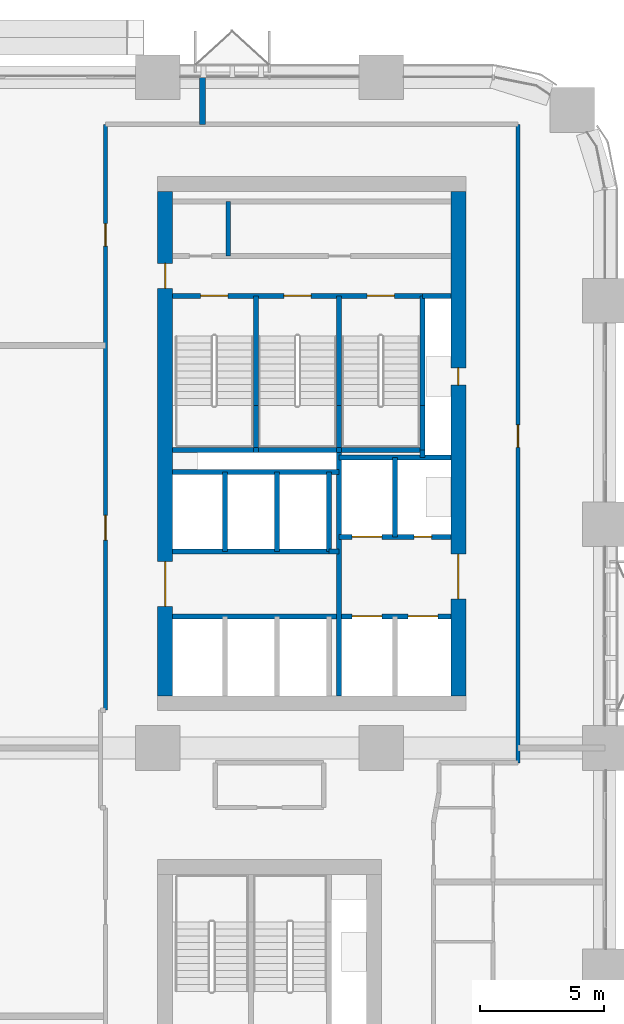
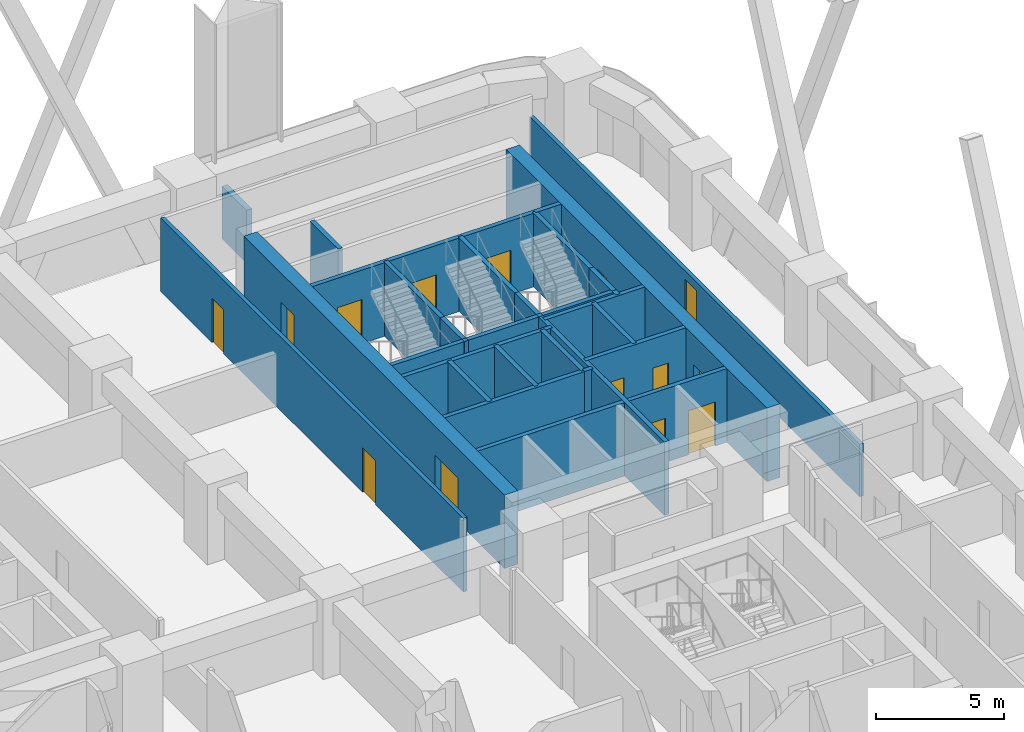
# One storey, part 19 of 24: 31 walls, 14 doors, 14 openings.
"""IFC4 building model written with IfcOpenShell, lengths in metres."""

from ifc_helpers import new_model, si_unit, direction, frame, frame_2d, origin, place, context, subcontext, project, spatial, rectangle, extrude, material, layer, layer_set, type_object, element, fill, save


model = new_model("IFC4")

# Units and contexts
model_context = context("Model", 3, precision=1e-05, world=origin(), true_north=direction((0.0, 1.0)))
body_context = subcontext(model_context, "Body", "Model", "MODEL_VIEW")
ifc_project = project(units=[si_unit("LENGTHUNIT", "METRE"), si_unit("AREAUNIT", "SQUARE_METRE"), si_unit("VOLUMEUNIT", "CUBIC_METRE"), si_unit("PLANEANGLEUNIT", "RADIAN"), si_unit("MASSUNIT", "GRAM", prefix="KILO")], contexts=[model_context])

# Site, building, storey
site_placement = place(None, origin())
site = spatial("IfcSite", under=ifc_project, at=site_placement, CompositionType="ELEMENT")
building_placement = place(site_placement, origin())
building = spatial("IfcBuilding", under=site, at=building_placement, Name="Tessera Arch", CompositionType="ELEMENT")
storey_placement = place(building_placement, frame((0.0, 0.0, 61.39990234375)))
storey = spatial("IfcBuildingStorey", under=building, at=storey_placement, Name="L13", CompositionType="ELEMENT", Elevation=61.39990234375)

# Walls
ifc_material_1 = material(Name="Gypsum board on steel stud", Category="steel")
ifc_layer_1 = layer(ifc_material_1, 0.125)
ifc_layer_set_1 = layer_set([ifc_layer_1], Name="Core partition 125 EI 60")
wall_type_1 = type_object("IfcWallType", Name="Core partition 125 EI 60", PredefinedType="PARTITIONING", material=ifc_layer_set_1)
wall_1_placement = place(storey_placement, frame((38.840087890625, 46.800048828125, 0.0), z_axis=(0.0, 0.0, 1.0), x_axis=(0.0, 1.0, 0.0)))
element("IfcWall", 1, at=wall_1_placement, inside=storey, type_object=wall_type_1, Name="L13 C1 partition wall 3", PredefinedType="PARTITIONING", context=body_context, shape_type="SweptSolid", body=[
    extrude(rectangle(XDim=2.199951171875, YDim=0.199951171875, at=frame_2d((1.10009765625, 0.0))), origin(), (0.0, 0.0, 1.0), 3.5),
])
wall_2_placement = place(storey_placement, frame((42.89990234375, 34.89990234375, 0.0), z_axis=(0.0, 0.0, 1.0), x_axis=(1.0, 0.0, 0.0)))
element("IfcWall", 2, at=wall_2_placement, inside=storey, type_object=wall_type_1, Name="L13 C1 partition wall 19", PredefinedType="PARTITIONING", context=body_context, shape_type="SweptSolid", body=[
    extrude(rectangle(XDim=0.400146484375, YDim=0.199951171875, at=frame_2d((0.2001953125, 0.0))), origin(), (0.0, 0.0, 1.0), 3.5),
])

# Wall, openings, doors
ifc_material_2 = material(Name="Concrete C70/85", Category="concrete")
ifc_layer_2 = layer(ifc_material_2, 0.60009765625)
ifc_layer_set_2 = layer_set([ifc_layer_2], Name="Core shell wall 600 C70-85")
wall_type_2 = type_object("IfcWallType", Name="Core shell wall 600 C70-85", PredefinedType="SHEAR", material=ifc_layer_set_2)
wall_3_placement = place(storey_placement, frame((36.300048828125, 29.10009765625, 0.0), z_axis=(0.0, 0.0, 1.0), x_axis=(0.0, 1.0, 0.0)))
wall_3 = element("IfcWall", 3, at=wall_3_placement, inside=storey, type_object=wall_type_2, Name="L13 C1 core wall W", PredefinedType="SHEAR", context=body_context, shape_type="SweptSolid", body=[
    extrude(rectangle(XDim=20.2998046875, YDim=0.60009765625, at=frame_2d((10.14990234375, 0.0))), origin(), (0.0, 0.0, 1.0), 3.5),
])
opening_1_placement = place(wall_3_placement, frame((3.60009765625, 0.0, 0.0)))
opening_1 = element("IfcOpeningElement", 4, at=opening_1_placement, cuts=wall_3, Name="Opening L13-C04", PredefinedType="OPENING", context=body_context, shape_type="SweptSolid", body=[
    extrude(rectangle(XDim=1.800048828125, YDim=2.10009765625, at=frame_2d((0.89990234375, 1.050048828125))), frame((0.0, 0.31005859375, 0.0), z_axis=(0.0, -1.0, 0.0), x_axis=(1.0, 0.0, 0.0)), (0.0, 0.0, 1.0), 0.6201171875),
])
opening_2_placement = place(wall_3_placement, frame((16.39990234375, 0.0, 0.0)))
opening_2 = element("IfcOpeningElement", 5, at=opening_2_placement, cuts=wall_3, Name="Opening L13-C11", PredefinedType="OPENING", context=body_context, shape_type="SweptSolid", body=[
    extrude(rectangle(XDim=1.0, YDim=2.10009765625, at=frame_2d((0.5, 1.050048828125))), frame((0.0, 0.31005859375, 0.0), z_axis=(0.0, -1.0, 0.0), x_axis=(1.0, 0.0, 0.0)), (0.0, 0.0, 1.0), 0.6201171875),
])
ifc_material_3 = material(Name="Steel door leaf", Category="steel")
door_type_1 = type_object("IfcDoorType", Name="Corridor door FD60 1000 x 2100", OperationType="SINGLE_SWING_LEFT", PredefinedType="DOOR", material=ifc_material_3)
door_1_placement = place(opening_2_placement, origin())
door_1 = element("IfcDoor", 6, at=door_1_placement, inside=storey, type_object=door_type_1, Name="L13 C1 door 11 C11 type D12", OperationType="SINGLE_SWING_RIGHT", OverallHeight=2.10009765625, OverallWidth=1.0, PredefinedType="DOOR", context=body_context, shape_type="SweptSolid", body=[
    extrude(rectangle(XDim=1.0, YDim=2.10009765625, at=frame_2d((0.5, 1.050048828125))), frame((0.0, 0.02490234375, 0.0), z_axis=(0.0, -1.0, 0.0), x_axis=(1.0, 0.0, 0.0)), (0.0, 0.0, 1.0), 0.050048828125),
])
fill(opening_2, door_1)
ifc_material_4 = material(Name="Glazed steel door leaf", Category="steel")
door_type_2 = type_object("IfcDoorType", Name="Lobby double door FD30S 1800 x 2100", OperationType="DOUBLE_DOOR_SINGLE_SWING", PredefinedType="DOOR", material=ifc_material_4)
door_2_placement = place(opening_1_placement, origin())
door_2 = element("IfcDoor", 7, at=door_2_placement, inside=storey, type_object=door_type_2, Name="L13 C1 door 4 C04 type D06", OperationType="DOUBLE_DOOR_SINGLE_SWING", OverallHeight=2.10009765625, OverallWidth=1.800048828125, PredefinedType="DOOR", context=body_context, shape_type="SweptSolid", body=[
    extrude(rectangle(XDim=1.800048828125, YDim=2.10009765625, at=frame_2d((0.89990234375, 1.050048828125))), frame((0.0, 0.02490234375, 0.0), z_axis=(0.0, -1.0, 0.0), x_axis=(1.0, 0.0, 0.0)), (0.0, 0.0, 1.0), 0.050048828125),
])
fill(opening_1, door_2)

wall_4_placement = place(storey_placement, frame((48.10009765625, 29.10009765625, 0.0), z_axis=(0.0, 0.0, 1.0), x_axis=(0.0, 1.0, 0.0)))
wall_4 = element("IfcWall", 8, at=wall_4_placement, inside=storey, type_object=wall_type_2, Name="L13 C1 core wall E", PredefinedType="SHEAR", context=body_context, shape_type="SweptSolid", body=[
    extrude(rectangle(XDim=20.2998046875, YDim=0.60009765625, at=frame_2d((10.14990234375, 0.0))), origin(), (0.0, 0.0, 1.0), 3.5),
])
opening_3_placement = place(wall_4_placement, frame((12.5, 0.0, 0.0)))
opening_3 = element("IfcOpeningElement", 9, at=opening_3_placement, cuts=wall_4, Name="Opening L13-C08", PredefinedType="OPENING", context=body_context, shape_type="SweptSolid", body=[
    extrude(rectangle(XDim=0.699951171875, YDim=2.10009765625, at=frame_2d((0.35009765625, 1.050048828125))), frame((0.0, 0.31005859375, 0.0), z_axis=(0.0, -1.0, 0.0), x_axis=(1.0, 0.0, 0.0)), (0.0, 0.0, 1.0), 0.6201171875),
])
opening_4_placement = place(wall_4_placement, frame((3.89990234375, 0.0, 0.0)))
opening_4 = element("IfcOpeningElement", 10, at=opening_4_placement, cuts=wall_4, Name="Opening L13-C09", PredefinedType="OPENING", context=body_context, shape_type="SweptSolid", body=[
    extrude(rectangle(XDim=1.800048828125, YDim=2.10009765625, at=frame_2d((0.89990234375, 1.050048828125))), frame((0.0, 0.31005859375, 0.0), z_axis=(0.0, -1.0, 0.0), x_axis=(1.0, 0.0, 0.0)), (0.0, 0.0, 1.0), 0.6201171875),
])
ifc_material_5 = material(Name="Glazed steel door leaf", Category="steel")
door_type_3 = type_object("IfcDoorType", Name="Lobby double door FD60 1800 x 2100", OperationType="DOUBLE_DOOR_SINGLE_SWING", PredefinedType="DOOR", material=ifc_material_5)
door_3_placement = place(opening_4_placement, origin())
door_3 = element("IfcDoor", 11, at=door_3_placement, inside=storey, type_object=door_type_3, Name="L13 C1 door 9 C09 type D19", OperationType="DOUBLE_DOOR_SINGLE_SWING", OverallHeight=2.10009765625, OverallWidth=1.800048828125, PredefinedType="DOOR", context=body_context, shape_type="SweptSolid", body=[
    extrude(rectangle(XDim=1.800048828125, YDim=2.10009765625, at=frame_2d((0.89990234375, 1.050048828125))), frame((0.0, 0.02490234375, 0.0), z_axis=(0.0, -1.0, 0.0), x_axis=(1.0, 0.0, 0.0)), (0.0, 0.0, 1.0), 0.050048828125),
])
fill(opening_4, door_3)
ifc_material_6 = material(Name="Steel door leaf", Category="steel")
door_type_4 = type_object("IfcDoorType", Name="Service shaft door FD60 700 x 2100", OperationType="SINGLE_SWING_LEFT", PredefinedType="DOOR", material=ifc_material_6)
door_4_placement = place(opening_3_placement, origin())
door_4 = element("IfcDoor", 12, at=door_4_placement, inside=storey, type_object=door_type_4, Name="L13 C1 door 8 C08 type D07", OperationType="SINGLE_SWING_RIGHT", OverallHeight=2.10009765625, OverallWidth=0.699951171875, PredefinedType="DOOR", context=body_context, shape_type="SweptSolid", body=[
    extrude(rectangle(XDim=0.699951171875, YDim=2.10009765625, at=frame_2d((0.35009765625, 1.050048828125))), frame((0.0, 0.02490234375, 0.0), z_axis=(0.0, -1.0, 0.0), x_axis=(1.0, 0.0, 0.0)), (0.0, 0.0, 1.0), 0.050048828125),
])
fill(opening_3, door_4)

ifc_material_7 = material(Name="Gypsum board on deep steel stud with mineral wool", Category="steel")
ifc_layer_3 = layer(ifc_material_7, 0.175048828125)
ifc_layer_set_3 = layer_set([ifc_layer_3], Name="Corridor wall 175 EI 60")
wall_type_3 = type_object("IfcWallType", Name="Corridor wall 175 EI 60", PredefinedType="PARTITIONING", material=ifc_layer_set_3)
wall_5_placement = place(storey_placement, frame((33.89990234375, 28.52001953125, 0.0), z_axis=(0.0, 0.0, 1.0), x_axis=(0.0, 1.0, 0.0)))
wall_5 = element("IfcWall", 13, at=wall_5_placement, inside=storey, type_object=wall_type_3, Name="L13 partition 25", PredefinedType="PARTITIONING", context=body_context, shape_type="SweptSolid", body=[
    extrude(rectangle(XDim=23.580078125, YDim=0.175048828125, at=frame_2d((11.7900390625, 0.0))), origin(), (0.0, 0.0, 1.0), 3.5),
])
opening_5_placement = place(wall_5_placement, frame((6.840087890625, 0.0, 0.0)))
opening_5 = element("IfcOpeningElement", 14, at=opening_5_placement, cuts=wall_5, Name="Opening L13-D022", PredefinedType="OPENING", context=body_context, shape_type="SweptSolid", body=[
    extrude(rectangle(XDim=1.0, YDim=2.10009765625, at=frame_2d((0.5, 1.050048828125))), frame((0.0, 0.097412109375, 0.0), z_axis=(0.0, -1.0, 0.0), x_axis=(1.0, 0.0, 0.0)), (0.0, 0.0, 1.0), 0.195068359375),
])
opening_6_placement = place(wall_5_placement, frame((18.679931640625, 0.0, 0.0)))
opening_6 = element("IfcOpeningElement", 15, at=opening_6_placement, cuts=wall_5, Name="Opening L13-D025", PredefinedType="OPENING", context=body_context, shape_type="SweptSolid", body=[
    extrude(rectangle(XDim=0.89990234375, YDim=2.10009765625, at=frame_2d((0.449951171875, 1.050048828125))), frame((0.0, 0.097412109375, 0.0), z_axis=(0.0, -1.0, 0.0), x_axis=(1.0, 0.0, 0.0)), (0.0, 0.0, 1.0), 0.195068359375),
])
ifc_material_8 = material(Name="Fire-rated door leaf")
door_type_5 = type_object("IfcDoorType", Name="Entrance door FD30S 1000 x 2100", OperationType="SINGLE_SWING_LEFT", PredefinedType="DOOR", material=ifc_material_8)
door_5_placement = place(opening_5_placement, origin())
door_5 = element("IfcDoor", 16, at=door_5_placement, inside=storey, type_object=door_type_5, Name="L13 door D022 type D03", OperationType="SINGLE_SWING_RIGHT", OverallHeight=2.10009765625, OverallWidth=1.0, PredefinedType="DOOR", context=body_context, shape_type="SweptSolid", body=[
    extrude(rectangle(XDim=1.0, YDim=2.10009765625, at=frame_2d((0.5, 1.050048828125))), frame((0.0, 0.02490234375, 0.0), z_axis=(0.0, -1.0, 0.0), x_axis=(1.0, 0.0, 0.0)), (0.0, 0.0, 1.0), 0.050048828125),
])
fill(opening_5, door_5)
ifc_material_9 = material(Name="Timber door leaf", Category="wood")
door_type_6 = type_object("IfcDoorType", Name="Room door 900 x 2100", OperationType="SINGLE_SWING_LEFT", PredefinedType="DOOR", material=ifc_material_9)
door_6_placement = place(opening_6_placement, origin())
door_6 = element("IfcDoor", 17, at=door_6_placement, inside=storey, type_object=door_type_6, Name="L13 door D025 type D01", OperationType="SINGLE_SWING_LEFT", OverallHeight=2.10009765625, OverallWidth=0.89990234375, PredefinedType="DOOR", context=body_context, shape_type="SweptSolid", body=[
    extrude(rectangle(XDim=0.89990234375, YDim=2.10009765625, at=frame_2d((0.449951171875, 1.050048828125))), frame((0.0, 0.02490234375, 0.0), z_axis=(0.0, -1.0, 0.0), x_axis=(1.0, 0.0, 0.0)), (0.0, 0.0, 1.0), 0.050048828125),
])
fill(opening_6, door_6)

# Wall, opening, door
wall_6_placement = place(storey_placement, frame((50.5, 26.39990234375, 0.0), z_axis=(0.0, 0.0, 1.0), x_axis=(0.0, 1.0, 0.0)))
wall_6 = element("IfcWall", 18, at=wall_6_placement, inside=storey, type_object=wall_type_3, Name="L13 partition 30", PredefinedType="PARTITIONING", context=body_context, shape_type="SweptSolid", body=[
    extrude(rectangle(XDim=25.7001953125, YDim=0.175048828125, at=frame_2d((12.85009765625, 0.0))), origin(), (0.0, 0.0, 1.0), 2.5),
])
opening_7_placement = place(wall_6_placement, frame((12.699951171875, 0.0, 0.0)))
opening_7 = element("IfcOpeningElement", 19, at=opening_7_placement, cuts=wall_6, Name="Opening L13-D024", PredefinedType="OPENING", context=body_context, shape_type="SweptSolid", body=[
    extrude(rectangle(XDim=0.89990234375, YDim=2.10009765625, at=frame_2d((0.449951171875, 1.050048828125))), frame((0.0, 0.097412109375, 0.0), z_axis=(0.0, -1.0, 0.0), x_axis=(1.0, 0.0, 0.0)), (0.0, 0.0, 1.0), 0.195068359375),
])
door_7_placement = place(opening_7_placement, origin())
door_7 = element("IfcDoor", 20, at=door_7_placement, inside=storey, type_object=door_type_6, Name="L13 door D024 type D01", OperationType="SINGLE_SWING_LEFT", OverallHeight=2.10009765625, OverallWidth=0.89990234375, PredefinedType="DOOR", context=body_context, shape_type="SweptSolid", body=[
    extrude(rectangle(XDim=0.89990234375, YDim=2.10009765625, at=frame_2d((0.449951171875, 1.050048828125))), frame((0.0, 0.02490234375, 0.0), z_axis=(0.0, -1.0, 0.0), x_axis=(1.0, 0.0, 0.0)), (0.0, 0.0, 1.0), 0.050048828125),
])
fill(opening_7, door_7)

# Walls
ifc_material_10 = material(Name="Double gypsum board on twin steel stud with acoustic mineral wool", Category="steel")
ifc_layer_4 = layer(ifc_material_10, 0.25)
ifc_layer_set_4 = layer_set([ifc_layer_4], Name="Party wall 250 EI 60")
wall_type_4 = type_object("IfcWallType", Name="Party wall 250 EI 60", PredefinedType="PARTITIONING", material=ifc_layer_set_4)
wall_7_placement = place(storey_placement, frame((37.800048828125, 52.10009765625, 0.0), z_axis=(0.0, 0.0, 1.0), x_axis=(0.0, 1.0, 0.0)))
element("IfcWall", 21, at=wall_7_placement, inside=storey, type_object=wall_type_4, Name="L13 partition 48", PredefinedType="PARTITIONING", context=body_context, shape_type="SweptSolid", body=[
    extrude(rectangle(XDim=1.89990234375, YDim=0.25, at=frame_2d((0.949951171875, 0.0))), origin(), (0.0, 0.0, 1.0), 2.5),
])
ifc_material_11 = material(Name="Concrete C40/50", Category="concrete")
ifc_layer_5 = layer(ifc_material_11, 0.199951171875)
ifc_layer_set_5 = layer_set([ifc_layer_5], Name="Shaft wall 200 EI 120")
wall_type_5 = type_object("IfcWallType", Name="Shaft wall 200 EI 120", PredefinedType="SOLIDWALL", material=ifc_layer_set_5)
for number, where, z_axis, x_axis, name in (
    (22, (38.699951171875, 34.89990234375, 0.0), (0.0, 0.0, 1.0), (0.0, 1.0, 0.0), "L13 C1 shaft wall 2"),
    (23, (40.800048828125, 34.89990234375, 0.0), (0.0, 0.0, 1.0), (0.0, 1.0, 0.0), "L13 C1 shaft wall 7"),
    (24, (42.89990234375, 34.89990234375, 0.0), (0.0, 0.0, 1.0), (0.0, 1.0, 0.0), "L13 C1 shaft wall 9"),
):
    element("IfcWall", number, at=place(storey_placement, frame(where, z_axis=z_axis, x_axis=x_axis)), inside=storey, type_object=wall_type_5, Name=name, PredefinedType="SOLIDWALL", context=body_context, shape_type="SweptSolid", body=[
        extrude(rectangle(XDim=3.2001953125, YDim=0.199951171875, at=frame_2d((1.60009765625, 0.0))), origin(), (0.0, 0.0, 1.0), 3.5),
    ])
wall_8_placement = place(storey_placement, frame((43.300048828125, 29.10009765625, 0.0), z_axis=(0.0, 0.0, 1.0), x_axis=(0.0, 1.0, 0.0)))
element("IfcWall", 25, at=wall_8_placement, inside=storey, type_object=wall_type_5, Name="L13 C1 shaft wall 10", PredefinedType="SOLIDWALL", context=body_context, shape_type="SweptSolid", body=[
    extrude(rectangle(XDim=9.89990234375, YDim=0.199951171875, at=frame_2d((4.949951171875, 0.0))), origin(), (0.0, 0.0, 1.0), 3.5),
])
wall_9_placement = place(storey_placement, frame((45.550048828125, 35.5, 0.0), z_axis=(0.0, 0.0, 1.0), x_axis=(0.0, 1.0, 0.0)))
element("IfcWall", 26, at=wall_9_placement, inside=storey, type_object=wall_type_5, Name="L13 C1 shaft wall 14", PredefinedType="SOLIDWALL", context=body_context, shape_type="SweptSolid", body=[
    extrude(rectangle(XDim=3.199951171875, YDim=0.199951171875, at=frame_2d((1.60009765625, 0.0))), origin(), (0.0, 0.0, 1.0), 3.5),
])
wall_10_placement = place(storey_placement, frame((46.64990234375, 38.699951171875, 0.0), z_axis=(0.0, 0.0, 1.0), x_axis=(0.0, 1.0, 0.0)))
element("IfcWall", 27, at=wall_10_placement, inside=storey, type_object=wall_type_5, Name="L13 C1 shaft wall 15", PredefinedType="SOLIDWALL", context=body_context, shape_type="SweptSolid", body=[
    extrude(rectangle(XDim=0.300048828125, YDim=0.199951171875, at=frame_2d((0.14990234375, 0.0))), origin(), (0.0, 0.0, 1.0), 3.5),
])

# Wall, openings, doors
wall_11_placement = place(storey_placement, frame((36.60009765625, 32.300048828125, 0.0), z_axis=(0.0, 0.0, 1.0), x_axis=(1.0, 0.0, 0.0)))
wall_11 = element("IfcWall", 28, at=wall_11_placement, inside=storey, type_object=wall_type_5, Name="L13 C1 shaft wall 18", PredefinedType="SOLIDWALL", context=body_context, shape_type="SweptSolid", body=[
    extrude(rectangle(XDim=11.199951171875, YDim=0.199951171875, at=frame_2d((5.60009765625, 0.0))), origin(), (0.0, 0.0, 1.0), 3.5),
])
opening_8_placement = place(wall_11_placement, frame((7.22509765625, 0.0, 0.0)))
opening_8 = element("IfcOpeningElement", 29, at=opening_8_placement, cuts=wall_11, Name="Opening L13-C01", PredefinedType="OPENING", context=body_context, shape_type="SweptSolid", body=[
    extrude(rectangle(XDim=1.199951171875, YDim=2.10009765625, at=frame_2d((0.60009765625, 1.050048828125))), frame((0.0, 0.10986328125, 0.0), z_axis=(0.0, -1.0, 0.0), x_axis=(1.0, 0.0, 0.0)), (0.0, 0.0, 1.0), 0.219970703125),
])
opening_9_placement = place(wall_11_placement, frame((9.47509765625, 0.0, 0.0)))
opening_9 = element("IfcOpeningElement", 30, at=opening_9_placement, cuts=wall_11, Name="Opening L13-C02", PredefinedType="OPENING", context=body_context, shape_type="SweptSolid", body=[
    extrude(rectangle(XDim=1.199951171875, YDim=2.10009765625, at=frame_2d((0.60009765625, 1.050048828125))), frame((0.0, 0.10986328125, 0.0), z_axis=(0.0, -1.0, 0.0), x_axis=(1.0, 0.0, 0.0)), (0.0, 0.0, 1.0), 0.219970703125),
])
ifc_material_12 = material(Name="Stainless steel AISI 304", Category="steel")
door_type_7 = type_object("IfcDoorType", Name="Sliding landing door 1200 x 2100", OperationType="SLIDING_TO_LEFT", PredefinedType="DOOR", material=ifc_material_12)
door_8_placement = place(opening_8_placement, origin())
door_8 = element("IfcDoor", 31, at=door_8_placement, inside=storey, type_object=door_type_7, Name="L13 FF1 lift landing door C01 type LD", OperationType="SLIDING_TO_LEFT", OverallHeight=2.10009765625, OverallWidth=1.199951171875, PredefinedType="DOOR", context=body_context, shape_type="SweptSolid", body=[
    extrude(rectangle(XDim=1.199951171875, YDim=2.10009765625, at=frame_2d((0.60009765625, 1.050048828125))), frame((0.0, 0.02490234375, 0.0), z_axis=(0.0, -1.0, 0.0), x_axis=(1.0, 0.0, 0.0)), (0.0, 0.0, 1.0), 0.050048828125),
])
fill(opening_8, door_8)
door_9_placement = place(opening_9_placement, origin())
door_9 = element("IfcDoor", 32, at=door_9_placement, inside=storey, type_object=door_type_7, Name="L13 FF2 lift landing door C02 type LD", OperationType="SLIDING_TO_LEFT", OverallHeight=2.10009765625, OverallWidth=1.199951171875, PredefinedType="DOOR", context=body_context, shape_type="SweptSolid", body=[
    extrude(rectangle(XDim=1.199951171875, YDim=2.10009765625, at=frame_2d((0.60009765625, 1.050048828125))), frame((0.0, 0.02490234375, 0.0), z_axis=(0.0, -1.0, 0.0), x_axis=(1.0, 0.0, 0.0)), (0.0, 0.0, 1.0), 0.050048828125),
])
fill(opening_9, door_9)

# Wall
wall_12_placement = place(storey_placement, frame((36.60009765625, 34.89990234375, 0.0), z_axis=(0.0, 0.0, 1.0), x_axis=(1.0, 0.0, 0.0)))
element("IfcWall", 33, at=wall_12_placement, inside=storey, type_object=wall_type_5, Name="L13 C1 shaft wall 20", PredefinedType="SOLIDWALL", context=body_context, shape_type="SweptSolid", body=[
    extrude(rectangle(XDim=6.2998046875, YDim=0.199951171875, at=frame_2d((3.14990234375, 0.0))), origin(), (0.0, 0.0, 1.0), 3.5),
])

# Wall, openings, doors
wall_13_placement = place(storey_placement, frame((43.300048828125, 35.5, 0.0), z_axis=(0.0, 0.0, 1.0), x_axis=(1.0, 0.0, 0.0)))
wall_13 = element("IfcWall", 34, at=wall_13_placement, inside=storey, type_object=wall_type_5, Name="L13 C1 shaft wall 21", PredefinedType="SOLIDWALL", context=body_context, shape_type="SweptSolid", body=[
    extrude(rectangle(XDim=4.5, YDim=0.199951171875, at=frame_2d((2.25, 0.0))), origin(), (0.0, 0.0, 1.0), 3.5),
])
opening_10_placement = place(wall_13_placement, frame((0.52490234375, 0.0, 0.0)))
opening_10 = element("IfcOpeningElement", 35, at=opening_10_placement, cuts=wall_13, Name="Opening L13-C03", PredefinedType="OPENING", context=body_context, shape_type="SweptSolid", body=[
    extrude(rectangle(XDim=1.199951171875, YDim=2.10009765625, at=frame_2d((0.60009765625, 1.050048828125))), frame((0.0, 0.10986328125, 0.0), z_axis=(0.0, -1.0, 0.0), x_axis=(1.0, 0.0, 0.0)), (0.0, 0.0, 1.0), 0.219970703125),
])
opening_11_placement = place(wall_13_placement, frame((3.02490234375, 0.0, 0.0)))
opening_11 = element("IfcOpeningElement", 36, at=opening_11_placement, cuts=wall_13, Name="Opening L13-C10", PredefinedType="OPENING", context=body_context, shape_type="SweptSolid", body=[
    extrude(rectangle(XDim=0.699951171875, YDim=2.10009765625, at=frame_2d((0.35009765625, 1.050048828125))), frame((0.0, 0.10986328125, 0.0), z_axis=(0.0, -1.0, 0.0), x_axis=(1.0, 0.0, 0.0)), (0.0, 0.0, 1.0), 0.219970703125),
])
door_10_placement = place(opening_11_placement, origin())
door_10 = element("IfcDoor", 37, at=door_10_placement, inside=storey, type_object=door_type_4, Name="L13 C1 door 10 C10 type D07", OperationType="SINGLE_SWING_RIGHT", OverallHeight=2.10009765625, OverallWidth=0.699951171875, PredefinedType="DOOR", context=body_context, shape_type="SweptSolid", body=[
    extrude(rectangle(XDim=0.699951171875, YDim=2.10009765625, at=frame_2d((0.35009765625, 1.050048828125))), frame((0.0, 0.02490234375, 0.0), z_axis=(0.0, -1.0, 0.0), x_axis=(1.0, 0.0, 0.0)), (0.0, 0.0, 1.0), 0.050048828125),
])
fill(opening_11, door_10)
door_11_placement = place(opening_10_placement, origin())
door_11 = element("IfcDoor", 38, at=door_11_placement, inside=storey, type_object=door_type_7, Name="L13 SV2 lift landing door C03 type LD", OperationType="SLIDING_TO_LEFT", OverallHeight=2.10009765625, OverallWidth=1.199951171875, PredefinedType="DOOR", context=body_context, shape_type="SweptSolid", body=[
    extrude(rectangle(XDim=1.199951171875, YDim=2.10009765625, at=frame_2d((0.60009765625, 1.050048828125))), frame((0.0, 0.02490234375, 0.0), z_axis=(0.0, -1.0, 0.0), x_axis=(1.0, 0.0, 0.0)), (0.0, 0.0, 1.0), 0.050048828125),
])
fill(opening_10, door_11)

# Walls
wall_14_placement = place(storey_placement, frame((36.60009765625, 38.10009765625, 0.0), z_axis=(0.0, 0.0, 1.0), x_axis=(1.0, 0.0, 0.0)))
element("IfcWall", 39, at=wall_14_placement, inside=storey, type_object=wall_type_5, Name="L13 C1 shaft wall 22", PredefinedType="SOLIDWALL", context=body_context, shape_type="SweptSolid", body=[
    extrude(rectangle(XDim=6.699951171875, YDim=0.199951171875, at=frame_2d((3.35009765625, 0.0))), origin(), (0.0, 0.0, 1.0), 3.5),
])
wall_15_placement = place(storey_placement, frame((43.300048828125, 38.699951171875, 0.0), z_axis=(0.0, 0.0, 1.0), x_axis=(1.0, 0.0, 0.0)))
element("IfcWall", 40, at=wall_15_placement, inside=storey, type_object=wall_type_5, Name="L13 C1 shaft wall 23", PredefinedType="SOLIDWALL", context=body_context, shape_type="SweptSolid", body=[
    extrude(rectangle(XDim=4.5, YDim=0.199951171875, at=frame_2d((2.25, 0.0))), origin(), (0.0, 0.0, 1.0), 3.5),
])
wall_16_placement = place(storey_placement, frame((46.64990234375, 45.199951171875, 0.0), z_axis=(0.0, 0.0, 1.0), x_axis=(1.0, 0.0, 0.0)))
element("IfcWall", 41, at=wall_16_placement, inside=storey, type_object=wall_type_5, Name="L13 C1 shaft wall 29", PredefinedType="SOLIDWALL", context=body_context, shape_type="SweptSolid", body=[
    extrude(rectangle(XDim=1.150146484375, YDim=0.199951171875, at=frame_2d((0.5751953125, 0.0))), origin(), (0.0, 0.0, 1.0), 3.5),
])
ifc_material_13 = material(Name="Concrete C40/50", Category="concrete")
ifc_layer_6 = layer(ifc_material_13, 0.199951171875)
ifc_layer_set_6 = layer_set([ifc_layer_6], Name="Stair well wall 200 REI 180")
wall_type_6 = type_object("IfcWallType", Name="Stair well wall 200 REI 180", PredefinedType="SOLIDWALL", material=ifc_layer_set_6)
wall_17_placement = place(storey_placement, frame((39.949951171875, 39.0, 0.0), z_axis=(0.0, 0.0, 1.0), x_axis=(0.0, 1.0, 0.0)))
element("IfcWall", 42, at=wall_17_placement, inside=storey, type_object=wall_type_6, Name="L13 C1 shaft wall 4", PredefinedType="SOLIDWALL", context=body_context, shape_type="SweptSolid", body=[
    extrude(rectangle(XDim=1.780029296875, YDim=0.199951171875, at=frame_2d((0.89013671875, 0.0))), origin(), (0.0, 0.0, 1.0), 3.5),
])
wall_18_placement = place(storey_placement, frame((39.949951171875, 40.780029296875, 0.0), z_axis=(0.0, 0.0, 1.0), x_axis=(0.0, 1.0, 0.0)))
element("IfcWall", 43, at=wall_18_placement, inside=storey, type_object=wall_type_6, Name="L13 C1 shaft wall 5", PredefinedType="SOLIDWALL", context=body_context, shape_type="SweptSolid", body=[
    extrude(rectangle(XDim=4.419921875, YDim=0.199951171875, at=frame_2d((2.2099609375, 0.0))), origin(), (0.0, 0.0, 1.0), 3.5),
])
wall_19_placement = place(storey_placement, frame((43.300048828125, 39.0, 0.0), z_axis=(0.0, 0.0, 1.0), x_axis=(0.0, 1.0, 0.0)))
element("IfcWall", 44, at=wall_19_placement, inside=storey, type_object=wall_type_6, Name="L13 C1 shaft wall 11", PredefinedType="SOLIDWALL", context=body_context, shape_type="SweptSolid", body=[
    extrude(rectangle(XDim=1.780029296875, YDim=0.199951171875, at=frame_2d((0.89013671875, 0.0))), origin(), (0.0, 0.0, 1.0), 3.5),
])
wall_20_placement = place(storey_placement, frame((43.300048828125, 40.780029296875, 0.0), z_axis=(0.0, 0.0, 1.0), x_axis=(0.0, 1.0, 0.0)))
element("IfcWall", 45, at=wall_20_placement, inside=storey, type_object=wall_type_6, Name="L13 C1 shaft wall 12", PredefinedType="SOLIDWALL", context=body_context, shape_type="SweptSolid", body=[
    extrude(rectangle(XDim=4.419921875, YDim=0.199951171875, at=frame_2d((2.2099609375, 0.0))), origin(), (0.0, 0.0, 1.0), 3.5),
])
wall_21_placement = place(storey_placement, frame((46.64990234375, 39.0, 0.0), z_axis=(0.0, 0.0, 1.0), x_axis=(0.0, 1.0, 0.0)))
element("IfcWall", 46, at=wall_21_placement, inside=storey, type_object=wall_type_6, Name="L13 C1 shaft wall 16", PredefinedType="SOLIDWALL", context=body_context, shape_type="SweptSolid", body=[
    extrude(rectangle(XDim=1.780029296875, YDim=0.199951171875, at=frame_2d((0.89013671875, 0.0))), origin(), (0.0, 0.0, 1.0), 3.5),
])
wall_22_placement = place(storey_placement, frame((46.64990234375, 40.780029296875, 0.0), z_axis=(0.0, 0.0, 1.0), x_axis=(0.0, 1.0, 0.0)))
element("IfcWall", 47, at=wall_22_placement, inside=storey, type_object=wall_type_6, Name="L13 C1 shaft wall 17", PredefinedType="SOLIDWALL", context=body_context, shape_type="SweptSolid", body=[
    extrude(rectangle(XDim=4.419921875, YDim=0.199951171875, at=frame_2d((2.2099609375, 0.0))), origin(), (0.0, 0.0, 1.0), 3.5),
])
wall_23_placement = place(storey_placement, frame((36.60009765625, 39.0, 0.0), z_axis=(0.0, 0.0, 1.0), x_axis=(1.0, 0.0, 0.0)))
element("IfcWall", 48, at=wall_23_placement, inside=storey, type_object=wall_type_6, Name="L13 C1 shaft wall 24", PredefinedType="SOLIDWALL", context=body_context, shape_type="SweptSolid", body=[
    extrude(rectangle(XDim=3.25, YDim=0.199951171875, at=frame_2d((1.625, 0.0))), origin(), (0.0, 0.0, 1.0), 3.5),
])
wall_24_placement = place(storey_placement, frame((39.85009765625, 39.0, 0.0), z_axis=(0.0, 0.0, 1.0), x_axis=(1.0, 0.0, 0.0)))
element("IfcWall", 49, at=wall_24_placement, inside=storey, type_object=wall_type_6, Name="L13 C1 shaft wall 25", PredefinedType="SOLIDWALL", context=body_context, shape_type="SweptSolid", body=[
    extrude(rectangle(XDim=0.199951171875, YDim=0.199951171875, at=frame_2d((0.10009765625, 0.0))), origin(), (0.0, 0.0, 1.0), 3.5),
])
wall_25_placement = place(storey_placement, frame((40.050048828125, 39.0, 0.0), z_axis=(0.0, 0.0, 1.0), x_axis=(1.0, 0.0, 0.0)))
element("IfcWall", 50, at=wall_25_placement, inside=storey, type_object=wall_type_6, Name="L13 C1 shaft wall 26", PredefinedType="SOLIDWALL", context=body_context, shape_type="SweptSolid", body=[
    extrude(rectangle(XDim=3.14990234375, YDim=0.199951171875, at=frame_2d((1.574951171875, 0.0))), origin(), (0.0, 0.0, 1.0), 3.5),
])
wall_26_placement = place(storey_placement, frame((43.199951171875, 39.0, 0.0), z_axis=(0.0, 0.0, 1.0), x_axis=(1.0, 0.0, 0.0)))
element("IfcWall", 51, at=wall_26_placement, inside=storey, type_object=wall_type_6, Name="L13 C1 shaft wall 27", PredefinedType="SOLIDWALL", context=body_context, shape_type="SweptSolid", body=[
    extrude(rectangle(XDim=0.199951171875, YDim=0.199951171875, at=frame_2d((0.10009765625, 0.0))), origin(), (0.0, 0.0, 1.0), 3.5),
])
wall_27_placement = place(storey_placement, frame((43.39990234375, 39.0, 0.0), z_axis=(0.0, 0.0, 1.0), x_axis=(1.0, 0.0, 0.0)))
element("IfcWall", 52, at=wall_27_placement, inside=storey, type_object=wall_type_6, Name="L13 C1 shaft wall 28", PredefinedType="SOLIDWALL", context=body_context, shape_type="SweptSolid", body=[
    extrude(rectangle(XDim=3.25, YDim=0.199951171875, at=frame_2d((1.625, 0.0))), origin(), (0.0, 0.0, 1.0), 3.5),
])

# Wall, openings, doors
wall_28_placement = place(storey_placement, frame((36.60009765625, 45.199951171875, 0.0), z_axis=(0.0, 0.0, 1.0), x_axis=(1.0, 0.0, 0.0)))
wall_28 = element("IfcWall", 53, at=wall_28_placement, inside=storey, type_object=wall_type_6, Name="L13 C1 shaft wall 30", PredefinedType="SOLIDWALL", context=body_context, shape_type="SweptSolid", body=[
    extrude(rectangle(XDim=10.0498046875, YDim=0.199951171875, at=frame_2d((5.02490234375, 0.0))), origin(), (0.0, 0.0, 1.0), 3.5),
])
opening_12_placement = place(wall_28_placement, frame((1.125, 0.0, 0.0)))
opening_12 = element("IfcOpeningElement", 54, at=opening_12_placement, cuts=wall_28, Name="Opening L13-C05", PredefinedType="OPENING", context=body_context, shape_type="SweptSolid", body=[
    extrude(rectangle(XDim=1.10009765625, YDim=2.10009765625, at=frame_2d((0.550048828125, 1.050048828125))), frame((0.0, 0.10986328125, 0.0), z_axis=(0.0, -1.0, 0.0), x_axis=(1.0, 0.0, 0.0)), (0.0, 0.0, 1.0), 0.219970703125),
])
opening_13_placement = place(wall_28_placement, frame((4.47509765625, 0.0, 0.0)))
opening_13 = element("IfcOpeningElement", 55, at=opening_13_placement, cuts=wall_28, Name="Opening L13-C06", PredefinedType="OPENING", context=body_context, shape_type="SweptSolid", body=[
    extrude(rectangle(XDim=1.10009765625, YDim=2.10009765625, at=frame_2d((0.550048828125, 1.050048828125))), frame((0.0, 0.10986328125, 0.0), z_axis=(0.0, -1.0, 0.0), x_axis=(1.0, 0.0, 0.0)), (0.0, 0.0, 1.0), 0.219970703125),
])
opening_14_placement = place(wall_28_placement, frame((7.824951171875, 0.0, 0.0)))
opening_14 = element("IfcOpeningElement", 56, at=opening_14_placement, cuts=wall_28, Name="Opening L13-C07", PredefinedType="OPENING", context=body_context, shape_type="SweptSolid", body=[
    extrude(rectangle(XDim=1.10009765625, YDim=2.10009765625, at=frame_2d((0.550048828125, 1.050048828125))), frame((0.0, 0.10986328125, 0.0), z_axis=(0.0, -1.0, 0.0), x_axis=(1.0, 0.0, 0.0)), (0.0, 0.0, 1.0), 0.219970703125),
])
ifc_material_14 = material(Name="Steel door leaf", Category="steel")
door_type_8 = type_object("IfcDoorType", Name="Stair door FD60 1100 x 2100", OperationType="SINGLE_SWING_LEFT", PredefinedType="DOOR", material=ifc_material_14)
door_12_placement = place(opening_12_placement, origin())
door_12 = element("IfcDoor", 57, at=door_12_placement, inside=storey, type_object=door_type_8, Name="L13 C1 door 5 C05 type D05", OperationType="SINGLE_SWING_LEFT", OverallHeight=2.10009765625, OverallWidth=1.10009765625, PredefinedType="DOOR", context=body_context, shape_type="SweptSolid", body=[
    extrude(rectangle(XDim=1.10009765625, YDim=2.10009765625, at=frame_2d((0.550048828125, 1.050048828125))), frame((0.0, 0.02490234375, 0.0), z_axis=(0.0, -1.0, 0.0), x_axis=(1.0, 0.0, 0.0)), (0.0, 0.0, 1.0), 0.050048828125),
])
fill(opening_12, door_12)
door_13_placement = place(opening_13_placement, origin())
door_13 = element("IfcDoor", 58, at=door_13_placement, inside=storey, type_object=door_type_8, Name="L13 C1 door 6 C06 type D05", OperationType="SINGLE_SWING_RIGHT", OverallHeight=2.10009765625, OverallWidth=1.10009765625, PredefinedType="DOOR", context=body_context, shape_type="SweptSolid", body=[
    extrude(rectangle(XDim=1.10009765625, YDim=2.10009765625, at=frame_2d((0.550048828125, 1.050048828125))), frame((0.0, 0.02490234375, 0.0), z_axis=(0.0, -1.0, 0.0), x_axis=(1.0, 0.0, 0.0)), (0.0, 0.0, 1.0), 0.050048828125),
])
fill(opening_13, door_13)
door_14_placement = place(opening_14_placement, origin())
door_14 = element("IfcDoor", 59, at=door_14_placement, inside=storey, type_object=door_type_8, Name="L13 C1 door 7 C07 type D05", OperationType="SINGLE_SWING_RIGHT", OverallHeight=2.10009765625, OverallWidth=1.10009765625, PredefinedType="DOOR", context=body_context, shape_type="SweptSolid", body=[
    extrude(rectangle(XDim=1.10009765625, YDim=2.10009765625, at=frame_2d((0.550048828125, 1.050048828125))), frame((0.0, 0.02490234375, 0.0), z_axis=(0.0, -1.0, 0.0), x_axis=(1.0, 0.0, 0.0)), (0.0, 0.0, 1.0), 0.050048828125),
])
fill(opening_14, door_14)

save(model, "model.ifc")
